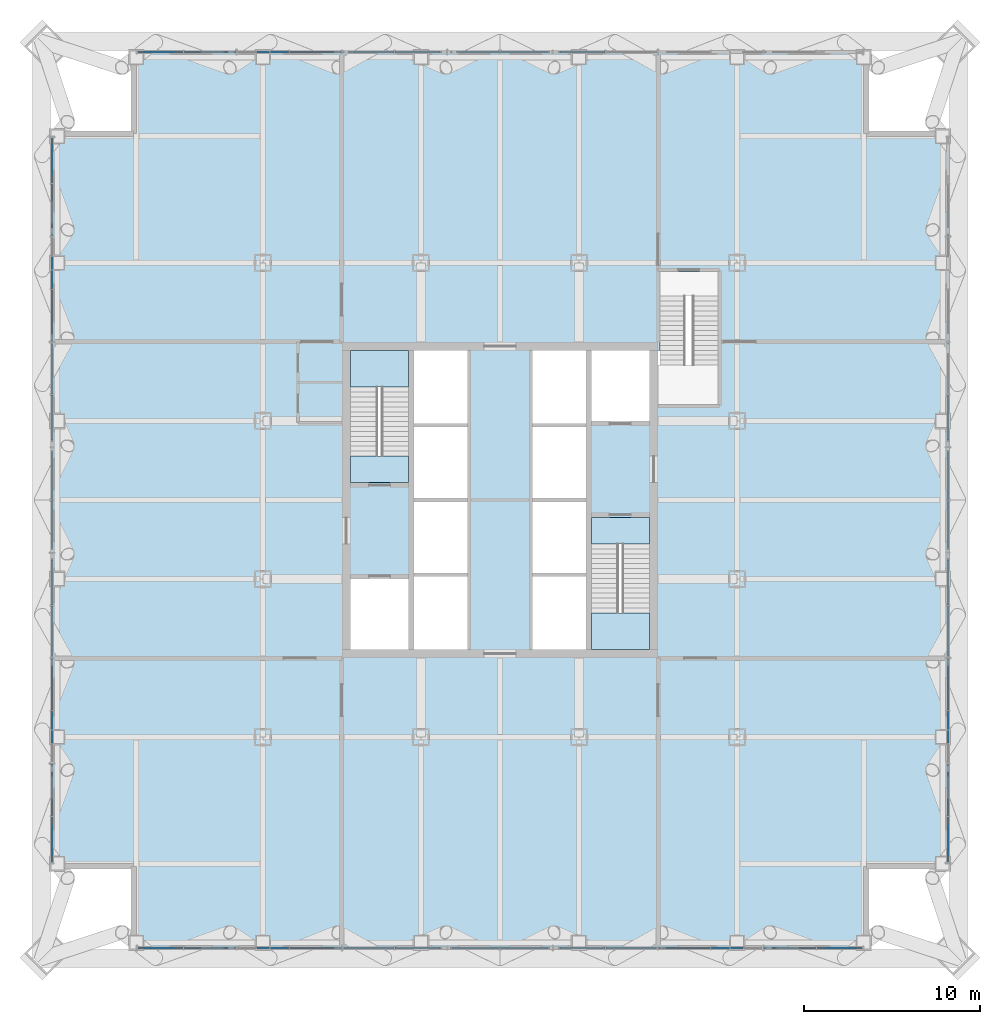
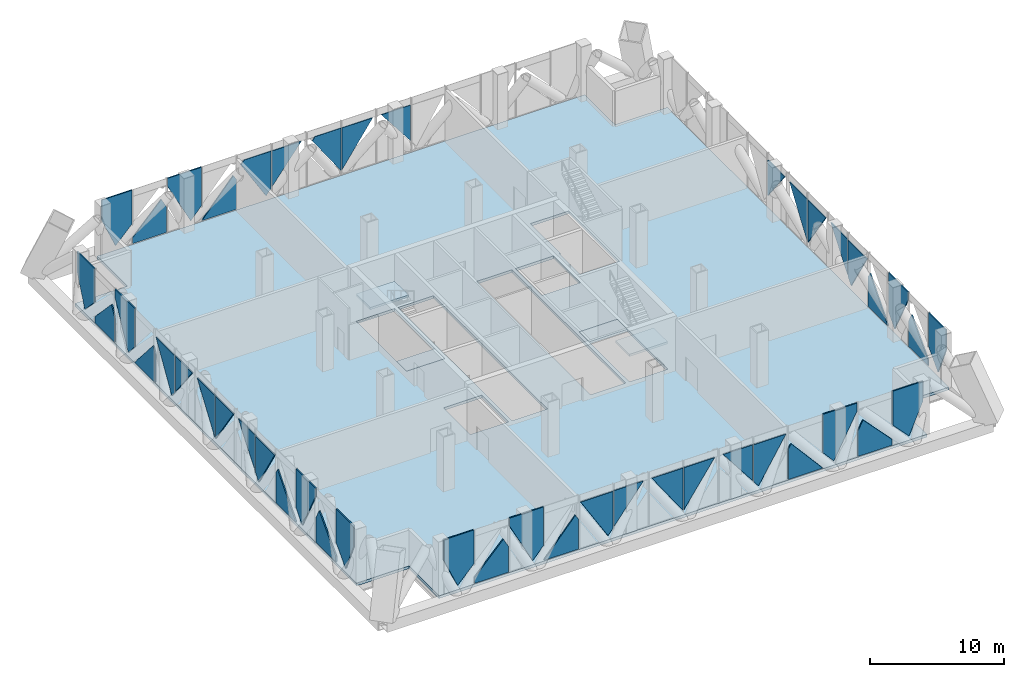
# One storey, part 13 of 26: 46 plates, 5 slabs, 6 elements without a shape of their own.
"""IFC4 building model written with IfcOpenShell, lengths in metres."""

from ifc_helpers import new_model, si_unit, direction, frame, origin, place, context, subcontext, project, spatial, polyline, outline, extrude, material, layer, layer_set, type_object, element, aggregate, save


model = new_model("IFC4")

# Units and contexts
model_context = context("Model", 3, precision=1e-05, world=origin(), true_north=direction((0.0, 1.0)))
body_context = subcontext(model_context, "Body", "Model", "MODEL_VIEW")
ifc_project = project(units=[si_unit("LENGTHUNIT", "METRE"), si_unit("AREAUNIT", "SQUARE_METRE"), si_unit("VOLUMEUNIT", "CUBIC_METRE"), si_unit("PLANEANGLEUNIT", "RADIAN"), si_unit("MASSUNIT", "GRAM", prefix="KILO")], contexts=[model_context])

# Site, building, storey
site_placement = place(None, origin())
site = spatial("IfcSite", under=ifc_project, at=site_placement, CompositionType="ELEMENT")
building_placement = place(site_placement, origin())
building = spatial("IfcBuilding", under=site, at=building_placement, Name="Malebo Sky Hospital", CompositionType="ELEMENT")
storey_placement = place(building_placement, frame((0.0, 0.0, 95.0)))
storey = spatial("IfcBuildingStorey", under=building, at=storey_placement, Name="L22", CompositionType="ELEMENT", Elevation=95.0)

# Slab
ifc_material_1 = material(Name="Concrete C40/50", Category="concrete")
ifc_layer_1 = layer(ifc_material_1, 0.25)
ifc_layer_set_1 = layer_set([ifc_layer_1], Name="COMPOSITE FLOOR SLAB 250")
slab_type_1 = type_object("IfcSlabType", Name="COMPOSITE FLOOR SLAB 250", PredefinedType="FLOOR", material=ifc_layer_set_1)
slab_1_placement = place(storey_placement, frame((0.0, 0.0, -0.25)))
element("IfcSlab", 1, at=slab_1_placement, inside=storey, type_object=slab_type_1, Name="Floor slab L22", PredefinedType="FLOOR", context=body_context, shape_type="SweptSolid", body=[
    extrude(outline(polyline([(39.0, 87.5), (39.0, 83.0), (34.5, 83.0), (34.5, 41.0), (39.0, 41.0), (39.0, 36.5), (81.0, 36.5), (81.0, 41.0), (85.5, 41.0), (85.5, 83.0), (81.0, 83.0), (81.0, 87.5), (39.0, 87.5)]), holes=[polyline([(55.10009765625, 70.5), (58.14990234375, 70.5), (58.14990234375, 53.5), (55.10009765625, 53.5), (55.10009765625, 70.5)]), polyline([(64.89990234375, 70.5), (64.89990234375, 53.5), (61.85009765625, 53.5), (61.85009765625, 70.5), (64.89990234375, 70.5)]), polyline([(54.800048828125, 63.0), (51.5, 63.0), (51.5, 70.5), (54.800048828125, 70.5), (54.800048828125, 63.0)]), polyline([(51.5, 53.5), (51.5, 57.5), (54.800048828125, 57.5), (54.800048828125, 53.5), (51.5, 53.5)]), polyline([(65.199951171875, 61.0), (68.5, 61.0), (68.5, 53.5), (65.199951171875, 53.5), (65.199951171875, 61.0)]), polyline([(68.5, 70.5), (68.5, 66.5), (65.199951171875, 66.5), (65.199951171875, 70.5), (68.5, 70.5)]), polyline([(69.0, 67.449951171875), (69.0, 70.52001953125), (69.10009765625, 70.52001953125), (69.10009765625, 75.0), (72.39990234375, 75.0), (72.39990234375, 67.449951171875), (69.10009765625, 67.449951171875), (69.0, 67.449951171875)])]), origin(), (0.0, 0.0, 1.0), 0.25),
])

# Curtain wall, plates
ifc_material_2 = material(Name="Anodised aluminium, natural silver", Category="aluminium")
ifc_layer_2 = layer(ifc_material_2, 0.25)
ifc_layer_set_2 = layer_set([ifc_layer_2], Name="PLANT LOUVRE SCREEN")
curtain_wall_type = type_object("IfcCurtainWallType", Name="PLANT LOUVRE SCREEN", PredefinedType="NOTDEFINED", material=ifc_layer_set_2)
curtain_wall_1_placement = place(storey_placement, origin())
curtain_wall_1 = element("IfcCurtainWall", 2, at=curtain_wall_1_placement, inside=storey, type_object=curtain_wall_type, Name="PLANT curtain wall N", PredefinedType="NOTDEFINED")
ifc_layer_3 = layer(ifc_material_2, 0.10009765625)
ifc_layer_set_3 = layer_set([ifc_layer_3], Name="LOUVRE PANEL 100")
plate_type = type_object("IfcPlateType", Name="LOUVRE PANEL 100", PredefinedType="CURTAIN_PANEL", material=ifc_layer_set_3)
plate_1_placement = place(storey_placement, frame((40.668701171875, 87.5, 0.41943359375), z_axis=(0.0, 0.0, 1.0), x_axis=(1.0, 0.0, 0.0)))
plate_1 = element("IfcPlate", 3, at=plate_1_placement, type_object=plate_type, Name="Panel 1", PredefinedType="CURTAIN_PANEL", context=body_context, shape_type="SweptSolid", body=[
    extrude(outline(polyline([(-0.10400390625, 0.0), (1.293701171875, 1.481201171875), (1.293701171875, 4.570556640625), (-1.293701171875, 4.570556640625), (-1.293701171875, 2.715087890625), (-0.10400390625, 0.0)])), frame((0.0, 0.050048828125, 0.0), z_axis=(0.0, -1.0, 0.0), x_axis=(1.0, 0.0, 0.0)), (0.0, 0.0, 1.0), 0.10009765625),
])
plate_2_placement = place(storey_placement, frame((43.5, 87.5, 0.10009765625), z_axis=(0.0, 0.0, 1.0), x_axis=(1.0, 0.0, 0.0)))
plate_2 = element("IfcPlate", 4, at=plate_2_placement, type_object=plate_type, Name="Panel 2", PredefinedType="CURTAIN_PANEL", context=body_context, shape_type="SweptSolid", body=[
    extrude(outline(polyline([(-1.46240234375, 0.0), (1.46240234375, 0.0), (1.46240234375, 2.304443359375), (1.0146484375, 3.16162109375), (-1.46240234375, 0.537109375), (-1.46240234375, 0.0)])), frame((0.0, 0.050048828125, 0.0), z_axis=(0.0, -1.0, 0.0), x_axis=(1.0, 0.0, 0.0)), (0.0, 0.0, 1.0), 0.10009765625),
])
plate_3_placement = place(storey_placement, frame((46.5, 87.5, 0.41943359375), z_axis=(0.0, 0.0, 1.0), x_axis=(1.0, 0.0, 0.0)))
plate_3 = element("IfcPlate", 5, at=plate_3_placement, type_object=plate_type, Name="Panel 3", PredefinedType="CURTAIN_PANEL", context=body_context, shape_type="SweptSolid", body=[
    extrude(outline(polyline([(0.544189453125, 0.0), (1.46240234375, 1.068603515625), (1.46240234375, 4.570556640625), (-1.46240234375, 4.570556640625), (-1.46240234375, 3.8408203125), (0.544189453125, 0.0)])), frame((0.0, 0.050048828125, 0.0), z_axis=(0.0, -1.0, 0.0), x_axis=(1.0, 0.0, 0.0)), (0.0, 0.0, 1.0), 0.10009765625),
])
plate_4_placement = place(storey_placement, frame((49.5, 87.5, 0.10009765625), z_axis=(0.0, 0.0, 1.0), x_axis=(1.0, 0.0, 0.0)))
plate_4 = element("IfcPlate", 6, at=plate_4_placement, type_object=plate_type, Name="Panel 4", PredefinedType="CURTAIN_PANEL", context=body_context, shape_type="SweptSolid", body=[
    extrude(outline(polyline([(-1.46240234375, 0.0), (1.46240234375, 0.0), (1.46240234375, 2.744140625), (1.20849609375, 3.162841796875), (-1.46240234375, 0.055419921875), (-1.46240234375, 0.0)])), frame((0.0, 0.050048828125, 0.0), z_axis=(0.0, -1.0, 0.0), x_axis=(1.0, 0.0, 0.0)), (0.0, 0.0, 1.0), 0.10009765625),
])
plate_5_placement = place(storey_placement, frame((52.654296875, 87.5, 0.4189453125), z_axis=(0.0, 0.0, 1.0), x_axis=(1.0, 0.0, 0.0)))
plate_5 = element("IfcPlate", 7, at=plate_5_placement, type_object=plate_type, Name="Panel 5", PredefinedType="CURTAIN_PANEL", context=body_context, shape_type="SweptSolid", body=[
    extrude(outline(polyline([(0.867919921875, 0.0), (1.30810546875, 0.567626953125), (1.30810546875, 3.932373046875), (-1.010498046875, 3.932373046875), (-1.30810546875, 3.5859375), (0.867919921875, 0.0)])), frame((0.0, 0.050048828125, 0.0), z_axis=(0.0, -1.0, 0.0), x_axis=(1.0, 0.0, 0.0)), (0.0, 0.0, 1.0), 0.10009765625),
])
plate_6_placement = place(storey_placement, frame((55.299072265625, 87.5, 1.08349609375), z_axis=(0.0, 0.0, 1.0), x_axis=(1.0, 0.0, 0.0)))
plate_6 = element("IfcPlate", 8, at=plate_6_placement, type_object=plate_type, Name="Panel 6", PredefinedType="CURTAIN_PANEL", context=body_context, shape_type="SweptSolid", body=[
    extrude(outline(polyline([(-1.26171875, 0.0), (1.26171875, 3.254638671875), (-1.26171875, 3.254638671875), (-1.26171875, 0.0)])), frame((0.0, 0.050048828125, 0.0), z_axis=(0.0, -1.0, 0.0), x_axis=(1.0, 0.0, 0.0)), (0.0, 0.0, 1.0), 0.10009765625),
])
plate_7_placement = place(storey_placement, frame((58.731689453125, 87.5, 0.47314453125), z_axis=(0.0, 0.0, 1.0), x_axis=(1.0, 0.0, 0.0)))
plate_7 = element("IfcPlate", 9, at=plate_7_placement, type_object=plate_type, Name="Panel 7", PredefinedType="CURTAIN_PANEL", context=body_context, shape_type="SweptSolid", body=[
    extrude(outline(polyline([(1.230712890625, 0.0), (1.230712890625, 3.864990234375), (-0.995849609375, 3.864990234375), (-1.230712890625, 3.56201171875), (1.230712890625, 0.0)])), frame((0.0, 0.050048828125, 0.0), z_axis=(0.0, -1.0, 0.0), x_axis=(1.0, 0.0, 0.0)), (0.0, 0.0, 1.0), 0.10009765625),
])
plate_8_placement = place(storey_placement, frame((61.367919921875, 87.5, 0.47314453125), z_axis=(0.0, 0.0, 1.0), x_axis=(1.0, 0.0, 0.0)))
plate_8 = element("IfcPlate", 10, at=plate_8_placement, type_object=plate_type, Name="Panel 8", PredefinedType="CURTAIN_PANEL", context=body_context, shape_type="SweptSolid", body=[
    extrude(outline(polyline([(-1.330322265625, 0.0), (1.330322265625, 3.850341796875), (-1.330322265625, 3.850341796875), (-1.330322265625, 0.0)])), frame((0.0, 0.050048828125, 0.0), z_axis=(0.0, -1.0, 0.0), x_axis=(1.0, 0.0, 0.0)), (0.0, 0.0, 1.0), 0.10009765625),
])
plate_9_placement = place(storey_placement, frame((64.700927734375, 87.5, 1.08349609375), z_axis=(0.0, 0.0, 1.0), x_axis=(1.0, 0.0, 0.0)))
plate_9 = element("IfcPlate", 11, at=plate_9_placement, type_object=plate_type, Name="Panel 9", PredefinedType="CURTAIN_PANEL", context=body_context, shape_type="SweptSolid", body=[
    extrude(outline(polyline([(1.26171875, 0.0), (1.26171875, 3.254638671875), (-1.26171875, 3.254638671875), (1.26171875, 0.0)])), frame((0.0, 0.050048828125, 0.0), z_axis=(0.0, -1.0, 0.0), x_axis=(1.0, 0.0, 0.0)), (0.0, 0.0, 1.0), 0.10009765625),
])
aggregate(curtain_wall_1, [plate_1, plate_2, plate_3, plate_4, plate_5, plate_6, plate_7, plate_8, plate_9])

curtain_wall_2_placement = place(storey_placement, origin())
curtain_wall_2 = element("IfcCurtainWall", 12, at=curtain_wall_2_placement, inside=storey, type_object=curtain_wall_type, Name="PLANT curtain wall W", PredefinedType="NOTDEFINED")
plate_10_placement = place(storey_placement, frame((34.5, 42.668701171875, 0.41943359375), z_axis=(0.0, 0.0, 1.0), x_axis=(0.0, 1.0, 0.0)))
plate_10 = element("IfcPlate", 13, at=plate_10_placement, type_object=plate_type, Name="Panel 1", PredefinedType="CURTAIN_PANEL", context=body_context, shape_type="SweptSolid", body=[
    extrude(outline(polyline([(-0.10400390625, 0.0), (1.293701171875, 1.481201171875), (1.293701171875, 4.570556640625), (-1.293701171875, 4.570556640625), (-1.293701171875, 2.715087890625), (-0.10400390625, 0.0)])), frame((0.0, 0.050048828125, 0.0), z_axis=(0.0, -1.0, 0.0), x_axis=(1.0, 0.0, 0.0)), (0.0, 0.0, 1.0), 0.10009765625),
])
plate_11_placement = place(storey_placement, frame((34.5, 45.5, 0.10009765625), z_axis=(0.0, 0.0, 1.0), x_axis=(0.0, 1.0, 0.0)))
plate_11 = element("IfcPlate", 14, at=plate_11_placement, type_object=plate_type, Name="Panel 2", PredefinedType="CURTAIN_PANEL", context=body_context, shape_type="SweptSolid", body=[
    extrude(outline(polyline([(-1.46240234375, 0.0), (1.46240234375, 0.0), (1.46240234375, 2.304443359375), (1.0146484375, 3.16162109375), (-1.46240234375, 0.537109375), (-1.46240234375, 0.0)])), frame((0.0, 0.050048828125, 0.0), z_axis=(0.0, -1.0, 0.0), x_axis=(1.0, 0.0, 0.0)), (0.0, 0.0, 1.0), 0.10009765625),
])
plate_12_placement = place(storey_placement, frame((34.5, 48.5, 0.41943359375), z_axis=(0.0, 0.0, 1.0), x_axis=(0.0, 1.0, 0.0)))
plate_12 = element("IfcPlate", 15, at=plate_12_placement, type_object=plate_type, Name="Panel 3", PredefinedType="CURTAIN_PANEL", context=body_context, shape_type="SweptSolid", body=[
    extrude(outline(polyline([(0.544189453125, 0.0), (1.46240234375, 1.068603515625), (1.46240234375, 4.570556640625), (-1.46240234375, 4.570556640625), (-1.46240234375, 3.8408203125), (0.544189453125, 0.0)])), frame((0.0, 0.050048828125, 0.0), z_axis=(0.0, -1.0, 0.0), x_axis=(1.0, 0.0, 0.0)), (0.0, 0.0, 1.0), 0.10009765625),
])
plate_13_placement = place(storey_placement, frame((34.5, 51.5, 0.10009765625), z_axis=(0.0, 0.0, 1.0), x_axis=(0.0, 1.0, 0.0)))
plate_13 = element("IfcPlate", 16, at=plate_13_placement, type_object=plate_type, Name="Panel 4", PredefinedType="CURTAIN_PANEL", context=body_context, shape_type="SweptSolid", body=[
    extrude(outline(polyline([(-1.46240234375, 0.0), (1.46240234375, 0.0), (1.46240234375, 2.744140625), (1.20849609375, 3.162841796875), (-1.46240234375, 0.055419921875), (-1.46240234375, 0.0)])), frame((0.0, 0.050048828125, 0.0), z_axis=(0.0, -1.0, 0.0), x_axis=(1.0, 0.0, 0.0)), (0.0, 0.0, 1.0), 0.10009765625),
])
plate_14_placement = place(storey_placement, frame((34.5, 54.562744140625, 0.4189453125), z_axis=(0.0, 0.0, 1.0), x_axis=(0.0, 1.0, 0.0)))
plate_14 = element("IfcPlate", 17, at=plate_14_placement, type_object=plate_type, Name="Panel 5", PredefinedType="CURTAIN_PANEL", context=body_context, shape_type="SweptSolid", body=[
    extrude(outline(polyline([(0.959716796875, 0.0), (1.39990234375, 0.567626953125), (1.39990234375, 3.88818359375), (-1.39990234375, 3.88818359375), (0.959716796875, 0.0)])), frame((0.0, 0.050048828125, 0.0), z_axis=(0.0, -1.0, 0.0), x_axis=(1.0, 0.0, 0.0)), (0.0, 0.0, 1.0), 0.10009765625),
])
plate_15_placement = place(storey_placement, frame((34.5, 57.299072265625, 1.08349609375), z_axis=(0.0, 0.0, 1.0), x_axis=(0.0, 1.0, 0.0)))
plate_15 = element("IfcPlate", 18, at=plate_15_placement, type_object=plate_type, Name="Panel 6", PredefinedType="CURTAIN_PANEL", context=body_context, shape_type="SweptSolid", body=[
    extrude(outline(polyline([(-1.26171875, 0.0), (1.26171875, 3.254638671875), (-1.26171875, 3.254638671875), (-1.26171875, 0.0)])), frame((0.0, 0.050048828125, 0.0), z_axis=(0.0, -1.0, 0.0), x_axis=(1.0, 0.0, 0.0)), (0.0, 0.0, 1.0), 0.10009765625),
])
plate_16_placement = place(storey_placement, frame((34.5, 60.632080078125, 0.47314453125), z_axis=(0.0, 0.0, 1.0), x_axis=(0.0, 1.0, 0.0)))
plate_16 = element("IfcPlate", 19, at=plate_16_placement, type_object=plate_type, Name="Panel 7", PredefinedType="CURTAIN_PANEL", context=body_context, shape_type="SweptSolid", body=[
    extrude(outline(polyline([(1.330322265625, 0.0), (1.330322265625, 3.850341796875), (-1.330322265625, 3.850341796875), (1.330322265625, 0.0)])), frame((0.0, 0.050048828125, 0.0), z_axis=(0.0, -1.0, 0.0), x_axis=(1.0, 0.0, 0.0)), (0.0, 0.0, 1.0), 0.10009765625),
])
plate_17_placement = place(storey_placement, frame((34.5, 63.367919921875, 0.47314453125), z_axis=(0.0, 0.0, 1.0), x_axis=(0.0, 1.0, 0.0)))
plate_17 = element("IfcPlate", 20, at=plate_17_placement, type_object=plate_type, Name="Panel 8", PredefinedType="CURTAIN_PANEL", context=body_context, shape_type="SweptSolid", body=[
    extrude(outline(polyline([(-1.330322265625, 0.0), (1.330322265625, 3.850341796875), (-1.330322265625, 3.850341796875), (-1.330322265625, 0.0)])), frame((0.0, 0.050048828125, 0.0), z_axis=(0.0, -1.0, 0.0), x_axis=(1.0, 0.0, 0.0)), (0.0, 0.0, 1.0), 0.10009765625),
])
plate_18_placement = place(storey_placement, frame((34.5, 66.700927734375, 1.08349609375), z_axis=(0.0, 0.0, 1.0), x_axis=(0.0, 1.0, 0.0)))
plate_18 = element("IfcPlate", 21, at=plate_18_placement, type_object=plate_type, Name="Panel 9", PredefinedType="CURTAIN_PANEL", context=body_context, shape_type="SweptSolid", body=[
    extrude(outline(polyline([(1.26171875, 0.0), (1.26171875, 3.254638671875), (-1.26171875, 3.254638671875), (1.26171875, 0.0)])), frame((0.0, 0.050048828125, 0.0), z_axis=(0.0, -1.0, 0.0), x_axis=(1.0, 0.0, 0.0)), (0.0, 0.0, 1.0), 0.10009765625),
])
plate_19_placement = place(storey_placement, frame((34.5, 69.437255859375, 0.4189453125), z_axis=(0.0, 0.0, 1.0), x_axis=(0.0, 1.0, 0.0)))
plate_19 = element("IfcPlate", 22, at=plate_19_placement, type_object=plate_type, Name="Panel 10", PredefinedType="CURTAIN_PANEL", context=body_context, shape_type="SweptSolid", body=[
    extrude(outline(polyline([(-0.959716796875, 0.0), (1.39990234375, 3.88818359375), (-1.39990234375, 3.88818359375), (-1.39990234375, 0.567626953125), (-0.959716796875, 0.0)])), frame((0.0, 0.050048828125, 0.0), z_axis=(0.0, -1.0, 0.0), x_axis=(1.0, 0.0, 0.0)), (0.0, 0.0, 1.0), 0.10009765625),
])
plate_20_placement = place(storey_placement, frame((34.5, 72.5, 0.10009765625), z_axis=(0.0, 0.0, 1.0), x_axis=(0.0, 1.0, 0.0)))
plate_20 = element("IfcPlate", 23, at=plate_20_placement, type_object=plate_type, Name="Panel 11", PredefinedType="CURTAIN_PANEL", context=body_context, shape_type="SweptSolid", body=[
    extrude(outline(polyline([(-1.46240234375, 0.0), (1.46240234375, 0.0), (1.46240234375, 0.055419921875), (-1.20849609375, 3.162841796875), (-1.46240234375, 2.744140625), (-1.46240234375, 0.0)])), frame((0.0, 0.050048828125, 0.0), z_axis=(0.0, -1.0, 0.0), x_axis=(1.0, 0.0, 0.0)), (0.0, 0.0, 1.0), 0.10009765625),
])
plate_21_placement = place(storey_placement, frame((34.5, 75.5, 0.41943359375), z_axis=(0.0, 0.0, 1.0), x_axis=(0.0, 1.0, 0.0)))
plate_21 = element("IfcPlate", 24, at=plate_21_placement, type_object=plate_type, Name="Panel 12", PredefinedType="CURTAIN_PANEL", context=body_context, shape_type="SweptSolid", body=[
    extrude(outline(polyline([(-0.544189453125, 0.0), (1.46240234375, 3.8408203125), (1.46240234375, 4.570556640625), (-1.46240234375, 4.570556640625), (-1.46240234375, 1.068603515625), (-0.544189453125, 0.0)])), frame((0.0, 0.050048828125, 0.0), z_axis=(0.0, -1.0, 0.0), x_axis=(1.0, 0.0, 0.0)), (0.0, 0.0, 1.0), 0.10009765625),
])
plate_22_placement = place(storey_placement, frame((34.5, 78.5, 0.10009765625), z_axis=(0.0, 0.0, 1.0), x_axis=(0.0, 1.0, 0.0)))
plate_22 = element("IfcPlate", 25, at=plate_22_placement, type_object=plate_type, Name="Panel 13", PredefinedType="CURTAIN_PANEL", context=body_context, shape_type="SweptSolid", body=[
    extrude(outline(polyline([(-1.46240234375, 0.0), (1.46240234375, 0.0), (1.46240234375, 0.537109375), (-1.0146484375, 3.16162109375), (-1.46240234375, 2.304443359375), (-1.46240234375, 0.0)])), frame((0.0, 0.050048828125, 0.0), z_axis=(0.0, -1.0, 0.0), x_axis=(1.0, 0.0, 0.0)), (0.0, 0.0, 1.0), 0.10009765625),
])
plate_23_placement = place(storey_placement, frame((34.5, 81.331298828125, 0.41943359375), z_axis=(0.0, 0.0, 1.0), x_axis=(0.0, 1.0, 0.0)))
plate_23 = element("IfcPlate", 26, at=plate_23_placement, type_object=plate_type, Name="Panel 14", PredefinedType="CURTAIN_PANEL", context=body_context, shape_type="SweptSolid", body=[
    extrude(outline(polyline([(0.10400390625, 0.0), (1.293701171875, 2.715087890625), (1.293701171875, 4.570556640625), (-1.293701171875, 4.570556640625), (-1.293701171875, 1.481201171875), (0.10400390625, 0.0)])), frame((0.0, 0.050048828125, 0.0), z_axis=(0.0, -1.0, 0.0), x_axis=(1.0, 0.0, 0.0)), (0.0, 0.0, 1.0), 0.10009765625),
])
aggregate(curtain_wall_2, [plate_10, plate_11, plate_12, plate_13, plate_14, plate_15, plate_16, plate_17, plate_18, plate_19, plate_20, plate_21, plate_22, plate_23])

curtain_wall_3_placement = place(storey_placement, origin())
curtain_wall_3 = element("IfcCurtainWall", 27, at=curtain_wall_3_placement, inside=storey, type_object=curtain_wall_type, Name="PLANT curtain wall S", PredefinedType="NOTDEFINED")
plate_24_placement = place(storey_placement, frame((79.331298828125, 36.5, 0.41943359375), z_axis=(0.0, 0.0, 1.0), x_axis=(-1.0, 0.0, 0.0)))
plate_24 = element("IfcPlate", 28, at=plate_24_placement, type_object=plate_type, Name="Panel 1", PredefinedType="CURTAIN_PANEL", context=body_context, shape_type="SweptSolid", body=[
    extrude(outline(polyline([(-0.10400390625, 0.0), (1.293701171875, 1.481201171875), (1.293701171875, 4.570556640625), (-1.293701171875, 4.570556640625), (-1.293701171875, 2.715087890625), (-0.10400390625, 0.0)])), frame((0.0, 0.050048828125, 0.0), z_axis=(0.0, -1.0, 0.0), x_axis=(1.0, 0.0, 0.0)), (0.0, 0.0, 1.0), 0.10009765625),
])
plate_25_placement = place(storey_placement, frame((76.5, 36.5, 0.10009765625), z_axis=(0.0, 0.0, 1.0), x_axis=(-1.0, 0.0, 0.0)))
plate_25 = element("IfcPlate", 29, at=plate_25_placement, type_object=plate_type, Name="Panel 2", PredefinedType="CURTAIN_PANEL", context=body_context, shape_type="SweptSolid", body=[
    extrude(outline(polyline([(-1.46240234375, 0.0), (1.46240234375, 0.0), (1.46240234375, 2.304443359375), (1.0146484375, 3.16162109375), (-1.46240234375, 0.537109375), (-1.46240234375, 0.0)])), frame((0.0, 0.050048828125, 0.0), z_axis=(0.0, -1.0, 0.0), x_axis=(1.0, 0.0, 0.0)), (0.0, 0.0, 1.0), 0.10009765625),
])
plate_26_placement = place(storey_placement, frame((73.5, 36.5, 0.41943359375), z_axis=(0.0, 0.0, 1.0), x_axis=(-1.0, 0.0, 0.0)))
plate_26 = element("IfcPlate", 30, at=plate_26_placement, type_object=plate_type, Name="Panel 3", PredefinedType="CURTAIN_PANEL", context=body_context, shape_type="SweptSolid", body=[
    extrude(outline(polyline([(0.544189453125, 0.0), (1.46240234375, 1.068603515625), (1.46240234375, 4.570556640625), (-1.46240234375, 4.570556640625), (-1.46240234375, 3.8408203125), (0.544189453125, 0.0)])), frame((0.0, 0.050048828125, 0.0), z_axis=(0.0, -1.0, 0.0), x_axis=(1.0, 0.0, 0.0)), (0.0, 0.0, 1.0), 0.10009765625),
])
plate_27_placement = place(storey_placement, frame((70.5, 36.5, 0.10009765625), z_axis=(0.0, 0.0, 1.0), x_axis=(-1.0, 0.0, 0.0)))
plate_27 = element("IfcPlate", 31, at=plate_27_placement, type_object=plate_type, Name="Panel 4", PredefinedType="CURTAIN_PANEL", context=body_context, shape_type="SweptSolid", body=[
    extrude(outline(polyline([(-1.46240234375, 0.0), (1.46240234375, 0.0), (1.46240234375, 2.744140625), (1.20849609375, 3.162841796875), (-1.46240234375, 0.055419921875), (-1.46240234375, 0.0)])), frame((0.0, 0.050048828125, 0.0), z_axis=(0.0, -1.0, 0.0), x_axis=(1.0, 0.0, 0.0)), (0.0, 0.0, 1.0), 0.10009765625),
])
plate_28_placement = place(storey_placement, frame((67.437255859375, 36.5, 0.4189453125), z_axis=(0.0, 0.0, 1.0), x_axis=(-1.0, 0.0, 0.0)))
plate_28 = element("IfcPlate", 32, at=plate_28_placement, type_object=plate_type, Name="Panel 5", PredefinedType="CURTAIN_PANEL", context=body_context, shape_type="SweptSolid", body=[
    extrude(outline(polyline([(0.959716796875, 0.0), (1.39990234375, 0.567626953125), (1.39990234375, 3.88818359375), (-1.39990234375, 3.88818359375), (0.959716796875, 0.0)])), frame((0.0, 0.050048828125, 0.0), z_axis=(0.0, -1.0, 0.0), x_axis=(1.0, 0.0, 0.0)), (0.0, 0.0, 1.0), 0.10009765625),
])
plate_29_placement = place(storey_placement, frame((64.700927734375, 36.5, 1.08349609375), z_axis=(0.0, 0.0, 1.0), x_axis=(-1.0, 0.0, 0.0)))
plate_29 = element("IfcPlate", 33, at=plate_29_placement, type_object=plate_type, Name="Panel 6", PredefinedType="CURTAIN_PANEL", context=body_context, shape_type="SweptSolid", body=[
    extrude(outline(polyline([(-1.26171875, 0.0), (1.26171875, 3.254638671875), (-1.26171875, 3.254638671875), (-1.26171875, 0.0)])), frame((0.0, 0.050048828125, 0.0), z_axis=(0.0, -1.0, 0.0), x_axis=(1.0, 0.0, 0.0)), (0.0, 0.0, 1.0), 0.10009765625),
])
plate_30_placement = place(storey_placement, frame((61.367919921875, 36.5, 0.47314453125), z_axis=(0.0, 0.0, 1.0), x_axis=(-1.0, 0.0, 0.0)))
plate_30 = element("IfcPlate", 34, at=plate_30_placement, type_object=plate_type, Name="Panel 7", PredefinedType="CURTAIN_PANEL", context=body_context, shape_type="SweptSolid", body=[
    extrude(outline(polyline([(1.330322265625, 0.0), (1.330322265625, 3.850341796875), (-1.330322265625, 3.850341796875), (1.330322265625, 0.0)])), frame((0.0, 0.050048828125, 0.0), z_axis=(0.0, -1.0, 0.0), x_axis=(1.0, 0.0, 0.0)), (0.0, 0.0, 1.0), 0.10009765625),
])
plate_31_placement = place(storey_placement, frame((58.632080078125, 36.5, 0.47314453125), z_axis=(0.0, 0.0, 1.0), x_axis=(-1.0, 0.0, 0.0)))
plate_31 = element("IfcPlate", 35, at=plate_31_placement, type_object=plate_type, Name="Panel 8", PredefinedType="CURTAIN_PANEL", context=body_context, shape_type="SweptSolid", body=[
    extrude(outline(polyline([(-1.330322265625, 0.0), (1.330322265625, 3.850341796875), (-1.330322265625, 3.850341796875), (-1.330322265625, 0.0)])), frame((0.0, 0.050048828125, 0.0), z_axis=(0.0, -1.0, 0.0), x_axis=(1.0, 0.0, 0.0)), (0.0, 0.0, 1.0), 0.10009765625),
])
plate_32_placement = place(storey_placement, frame((55.299072265625, 36.5, 1.08349609375), z_axis=(0.0, 0.0, 1.0), x_axis=(-1.0, 0.0, 0.0)))
plate_32 = element("IfcPlate", 36, at=plate_32_placement, type_object=plate_type, Name="Panel 9", PredefinedType="CURTAIN_PANEL", context=body_context, shape_type="SweptSolid", body=[
    extrude(outline(polyline([(1.26171875, 0.0), (1.26171875, 3.254638671875), (-1.26171875, 3.254638671875), (1.26171875, 0.0)])), frame((0.0, 0.050048828125, 0.0), z_axis=(0.0, -1.0, 0.0), x_axis=(1.0, 0.0, 0.0)), (0.0, 0.0, 1.0), 0.10009765625),
])
plate_33_placement = place(storey_placement, frame((52.562744140625, 36.5, 0.4189453125), z_axis=(0.0, 0.0, 1.0), x_axis=(-1.0, 0.0, 0.0)))
plate_33 = element("IfcPlate", 37, at=plate_33_placement, type_object=plate_type, Name="Panel 10", PredefinedType="CURTAIN_PANEL", context=body_context, shape_type="SweptSolid", body=[
    extrude(outline(polyline([(-0.959716796875, 0.0), (1.39990234375, 3.88818359375), (-1.39990234375, 3.88818359375), (-1.39990234375, 0.567626953125), (-0.959716796875, 0.0)])), frame((0.0, 0.050048828125, 0.0), z_axis=(0.0, -1.0, 0.0), x_axis=(1.0, 0.0, 0.0)), (0.0, 0.0, 1.0), 0.10009765625),
])
plate_34_placement = place(storey_placement, frame((49.5, 36.5, 0.10009765625), z_axis=(0.0, 0.0, 1.0), x_axis=(-1.0, 0.0, 0.0)))
plate_34 = element("IfcPlate", 38, at=plate_34_placement, type_object=plate_type, Name="Panel 11", PredefinedType="CURTAIN_PANEL", context=body_context, shape_type="SweptSolid", body=[
    extrude(outline(polyline([(-1.46240234375, 0.0), (1.46240234375, 0.0), (1.46240234375, 0.055419921875), (-1.20849609375, 3.162841796875), (-1.46240234375, 2.744140625), (-1.46240234375, 0.0)])), frame((0.0, 0.050048828125, 0.0), z_axis=(0.0, -1.0, 0.0), x_axis=(1.0, 0.0, 0.0)), (0.0, 0.0, 1.0), 0.10009765625),
])
plate_35_placement = place(storey_placement, frame((46.5, 36.5, 0.41943359375), z_axis=(0.0, 0.0, 1.0), x_axis=(-1.0, 0.0, 0.0)))
plate_35 = element("IfcPlate", 39, at=plate_35_placement, type_object=plate_type, Name="Panel 12", PredefinedType="CURTAIN_PANEL", context=body_context, shape_type="SweptSolid", body=[
    extrude(outline(polyline([(-0.544189453125, 0.0), (1.46240234375, 3.8408203125), (1.46240234375, 4.570556640625), (-1.46240234375, 4.570556640625), (-1.46240234375, 1.068603515625), (-0.544189453125, 0.0)])), frame((0.0, 0.050048828125, 0.0), z_axis=(0.0, -1.0, 0.0), x_axis=(1.0, 0.0, 0.0)), (0.0, 0.0, 1.0), 0.10009765625),
])
plate_36_placement = place(storey_placement, frame((43.5, 36.5, 0.10009765625), z_axis=(0.0, 0.0, 1.0), x_axis=(-1.0, 0.0, 0.0)))
plate_36 = element("IfcPlate", 40, at=plate_36_placement, type_object=plate_type, Name="Panel 13", PredefinedType="CURTAIN_PANEL", context=body_context, shape_type="SweptSolid", body=[
    extrude(outline(polyline([(-1.46240234375, 0.0), (1.46240234375, 0.0), (1.46240234375, 0.537109375), (-1.0146484375, 3.16162109375), (-1.46240234375, 2.304443359375), (-1.46240234375, 0.0)])), frame((0.0, 0.050048828125, 0.0), z_axis=(0.0, -1.0, 0.0), x_axis=(1.0, 0.0, 0.0)), (0.0, 0.0, 1.0), 0.10009765625),
])
plate_37_placement = place(storey_placement, frame((40.668701171875, 36.5, 0.41943359375), z_axis=(0.0, 0.0, 1.0), x_axis=(-1.0, 0.0, 0.0)))
plate_37 = element("IfcPlate", 41, at=plate_37_placement, type_object=plate_type, Name="Panel 14", PredefinedType="CURTAIN_PANEL", context=body_context, shape_type="SweptSolid", body=[
    extrude(outline(polyline([(0.10400390625, 0.0), (1.293701171875, 2.715087890625), (1.293701171875, 4.570556640625), (-1.293701171875, 4.570556640625), (-1.293701171875, 1.481201171875), (0.10400390625, 0.0)])), frame((0.0, 0.050048828125, 0.0), z_axis=(0.0, -1.0, 0.0), x_axis=(1.0, 0.0, 0.0)), (0.0, 0.0, 1.0), 0.10009765625),
])
aggregate(curtain_wall_3, [plate_24, plate_25, plate_26, plate_27, plate_28, plate_29, plate_30, plate_31, plate_32, plate_33, plate_34, plate_35, plate_36, plate_37])

curtain_wall_4_placement = place(storey_placement, origin())
curtain_wall_4 = element("IfcCurtainWall", 42, at=curtain_wall_4_placement, inside=storey, type_object=curtain_wall_type, Name="PLANT curtain wall E", PredefinedType="NOTDEFINED")
plate_38_placement = place(storey_placement, frame((85.5, 66.700927734375, 1.08349609375), z_axis=(0.0, 0.0, 1.0), x_axis=(0.0, -1.0, 0.0)))
plate_38 = element("IfcPlate", 43, at=plate_38_placement, type_object=plate_type, Name="Panel 6", PredefinedType="CURTAIN_PANEL", context=body_context, shape_type="SweptSolid", body=[
    extrude(outline(polyline([(-1.26171875, 0.0), (1.26171875, 3.254638671875), (-1.26171875, 3.254638671875), (-1.26171875, 0.0)])), frame((0.0, 0.050048828125, 0.0), z_axis=(0.0, -1.0, 0.0), x_axis=(1.0, 0.0, 0.0)), (0.0, 0.0, 1.0), 0.10009765625),
])
plate_39_placement = place(storey_placement, frame((85.5, 63.367919921875, 0.47314453125), z_axis=(0.0, 0.0, 1.0), x_axis=(0.0, -1.0, 0.0)))
plate_39 = element("IfcPlate", 44, at=plate_39_placement, type_object=plate_type, Name="Panel 7", PredefinedType="CURTAIN_PANEL", context=body_context, shape_type="SweptSolid", body=[
    extrude(outline(polyline([(1.330322265625, 0.0), (1.330322265625, 3.850341796875), (-1.330322265625, 3.850341796875), (1.330322265625, 0.0)])), frame((0.0, 0.050048828125, 0.0), z_axis=(0.0, -1.0, 0.0), x_axis=(1.0, 0.0, 0.0)), (0.0, 0.0, 1.0), 0.10009765625),
])
plate_40_placement = place(storey_placement, frame((85.5, 60.632080078125, 0.47314453125), z_axis=(0.0, 0.0, 1.0), x_axis=(0.0, -1.0, 0.0)))
plate_40 = element("IfcPlate", 45, at=plate_40_placement, type_object=plate_type, Name="Panel 8", PredefinedType="CURTAIN_PANEL", context=body_context, shape_type="SweptSolid", body=[
    extrude(outline(polyline([(-1.330322265625, 0.0), (1.330322265625, 3.850341796875), (-1.330322265625, 3.850341796875), (-1.330322265625, 0.0)])), frame((0.0, 0.050048828125, 0.0), z_axis=(0.0, -1.0, 0.0), x_axis=(1.0, 0.0, 0.0)), (0.0, 0.0, 1.0), 0.10009765625),
])
plate_41_placement = place(storey_placement, frame((85.5, 57.299072265625, 1.08349609375), z_axis=(0.0, 0.0, 1.0), x_axis=(0.0, -1.0, 0.0)))
plate_41 = element("IfcPlate", 46, at=plate_41_placement, type_object=plate_type, Name="Panel 9", PredefinedType="CURTAIN_PANEL", context=body_context, shape_type="SweptSolid", body=[
    extrude(outline(polyline([(1.26171875, 0.0), (1.26171875, 3.254638671875), (-1.26171875, 3.254638671875), (1.26171875, 0.0)])), frame((0.0, 0.050048828125, 0.0), z_axis=(0.0, -1.0, 0.0), x_axis=(1.0, 0.0, 0.0)), (0.0, 0.0, 1.0), 0.10009765625),
])
plate_42_placement = place(storey_placement, frame((85.5, 54.562744140625, 0.4189453125), z_axis=(0.0, 0.0, 1.0), x_axis=(0.0, -1.0, 0.0)))
plate_42 = element("IfcPlate", 47, at=plate_42_placement, type_object=plate_type, Name="Panel 10", PredefinedType="CURTAIN_PANEL", context=body_context, shape_type="SweptSolid", body=[
    extrude(outline(polyline([(-0.959716796875, 0.0), (1.39990234375, 3.88818359375), (-1.39990234375, 3.88818359375), (-1.39990234375, 0.567626953125), (-0.959716796875, 0.0)])), frame((0.0, 0.050048828125, 0.0), z_axis=(0.0, -1.0, 0.0), x_axis=(1.0, 0.0, 0.0)), (0.0, 0.0, 1.0), 0.10009765625),
])
plate_43_placement = place(storey_placement, frame((85.5, 51.5, 0.10009765625), z_axis=(0.0, 0.0, 1.0), x_axis=(0.0, -1.0, 0.0)))
plate_43 = element("IfcPlate", 48, at=plate_43_placement, type_object=plate_type, Name="Panel 11", PredefinedType="CURTAIN_PANEL", context=body_context, shape_type="SweptSolid", body=[
    extrude(outline(polyline([(-1.46240234375, 0.0), (1.46240234375, 0.0), (1.46240234375, 0.055419921875), (-1.20849609375, 3.162841796875), (-1.46240234375, 2.744140625), (-1.46240234375, 0.0)])), frame((0.0, 0.050048828125, 0.0), z_axis=(0.0, -1.0, 0.0), x_axis=(1.0, 0.0, 0.0)), (0.0, 0.0, 1.0), 0.10009765625),
])
plate_44_placement = place(storey_placement, frame((85.5, 48.5, 0.41943359375), z_axis=(0.0, 0.0, 1.0), x_axis=(0.0, -1.0, 0.0)))
plate_44 = element("IfcPlate", 49, at=plate_44_placement, type_object=plate_type, Name="Panel 12", PredefinedType="CURTAIN_PANEL", context=body_context, shape_type="SweptSolid", body=[
    extrude(outline(polyline([(-0.544189453125, 0.0), (1.46240234375, 3.8408203125), (1.46240234375, 4.570556640625), (-1.46240234375, 4.570556640625), (-1.46240234375, 1.068603515625), (-0.544189453125, 0.0)])), frame((0.0, 0.050048828125, 0.0), z_axis=(0.0, -1.0, 0.0), x_axis=(1.0, 0.0, 0.0)), (0.0, 0.0, 1.0), 0.10009765625),
])
plate_45_placement = place(storey_placement, frame((85.5, 45.5, 0.10009765625), z_axis=(0.0, 0.0, 1.0), x_axis=(0.0, -1.0, 0.0)))
plate_45 = element("IfcPlate", 50, at=plate_45_placement, type_object=plate_type, Name="Panel 13", PredefinedType="CURTAIN_PANEL", context=body_context, shape_type="SweptSolid", body=[
    extrude(outline(polyline([(-1.46240234375, 0.0), (1.46240234375, 0.0), (1.46240234375, 0.537109375), (-1.0146484375, 3.16162109375), (-1.46240234375, 2.304443359375), (-1.46240234375, 0.0)])), frame((0.0, 0.050048828125, 0.0), z_axis=(0.0, -1.0, 0.0), x_axis=(1.0, 0.0, 0.0)), (0.0, 0.0, 1.0), 0.10009765625),
])
plate_46_placement = place(storey_placement, frame((85.5, 42.668701171875, 0.41943359375), z_axis=(0.0, 0.0, 1.0), x_axis=(0.0, -1.0, 0.0)))
plate_46 = element("IfcPlate", 51, at=plate_46_placement, type_object=plate_type, Name="Panel 14", PredefinedType="CURTAIN_PANEL", context=body_context, shape_type="SweptSolid", body=[
    extrude(outline(polyline([(0.10400390625, 0.0), (1.293701171875, 2.715087890625), (1.293701171875, 4.570556640625), (-1.293701171875, 4.570556640625), (-1.293701171875, 1.481201171875), (0.10400390625, 0.0)])), frame((0.0, 0.050048828125, 0.0), z_axis=(0.0, -1.0, 0.0), x_axis=(1.0, 0.0, 0.0)), (0.0, 0.0, 1.0), 0.10009765625),
])
aggregate(curtain_wall_4, [plate_38, plate_39, plate_40, plate_41, plate_42, plate_43, plate_44, plate_45, plate_46])

# Stair, slabs
stair_type = type_object("IfcStairType", Name="HALF-TURN STAIR 1500 R167", PredefinedType="HALF_TURN_STAIR", material=ifc_material_1)
stair_1_placement = place(storey_placement, origin())
stair_1 = element("IfcStair", 52, at=stair_1_placement, inside=storey, type_object=stair_type, Name="Stair S1 L22 type ST1", PredefinedType="HALF_TURN_STAIR")
ifc_layer_4 = layer(ifc_material_1, 0.199951171875)
ifc_layer_set_4 = layer_set([ifc_layer_4], Name="STAIR LANDING 200")
slab_type_2 = type_object("IfcSlabType", Name="STAIR LANDING 200", PredefinedType="LANDING", material=ifc_layer_set_4)
slab_2_placement = place(storey_placement, frame((0.0, 0.0, -0.199951171875)))
slab_2 = element("IfcSlab", 53, at=slab_2_placement, type_object=slab_type_2, Name="S1 landing 1", PredefinedType="LANDING", context=body_context, shape_type="SweptSolid", body=[
    extrude(outline(polyline([(51.5, 63.0), (54.800048828125, 63.0), (54.800048828125, 64.5), (51.5, 64.5), (51.5, 63.0)])), origin(), (0.0, 0.0, 1.0), 0.199951171875),
])
slab_3_placement = place(storey_placement, frame((0.0, 0.0, 2.300048828125)))
slab_3 = element("IfcSlab", 54, at=slab_3_placement, type_object=slab_type_2, Name="S1 landing 2", PredefinedType="LANDING", context=body_context, shape_type="SweptSolid", body=[
    extrude(outline(polyline([(51.5, 68.419921875), (54.800048828125, 68.419921875), (54.800048828125, 70.5), (51.5, 70.5), (51.5, 68.419921875)])), origin(), (0.0, 0.0, 1.0), 0.199951171875),
])
aggregate(stair_1, [slab_2, slab_3])

stair_2_placement = place(storey_placement, origin())
stair_2 = element("IfcStair", 55, at=stair_2_placement, inside=storey, type_object=stair_type, Name="Stair S2 L22 type ST1", PredefinedType="HALF_TURN_STAIR")
slab_4_placement = place(storey_placement, frame((0.0, 0.0, -0.199951171875)))
slab_4 = element("IfcSlab", 56, at=slab_4_placement, type_object=slab_type_2, Name="S2 landing 1", PredefinedType="LANDING", context=body_context, shape_type="SweptSolid", body=[
    extrude(outline(polyline([(65.199951171875, 59.5), (68.5, 59.5), (68.5, 61.0), (65.199951171875, 61.0), (65.199951171875, 59.5)])), origin(), (0.0, 0.0, 1.0), 0.199951171875),
])
slab_5_placement = place(storey_placement, frame((0.0, 0.0, 2.300048828125)))
slab_5 = element("IfcSlab", 57, at=slab_5_placement, type_object=slab_type_2, Name="S2 landing 2", PredefinedType="LANDING", context=body_context, shape_type="SweptSolid", body=[
    extrude(outline(polyline([(65.199951171875, 53.5), (68.5, 53.5), (68.5, 55.580078125), (65.199951171875, 55.580078125), (65.199951171875, 53.5)])), origin(), (0.0, 0.0, 1.0), 0.199951171875),
])
aggregate(stair_2, [slab_4, slab_5])

save(model, "model.ifc")
